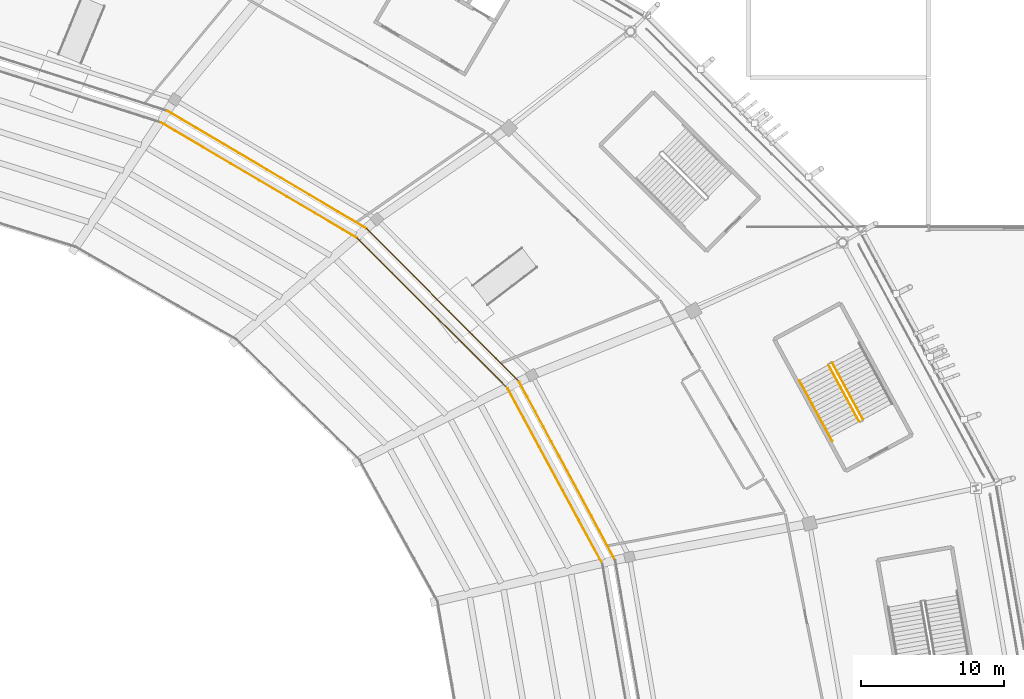
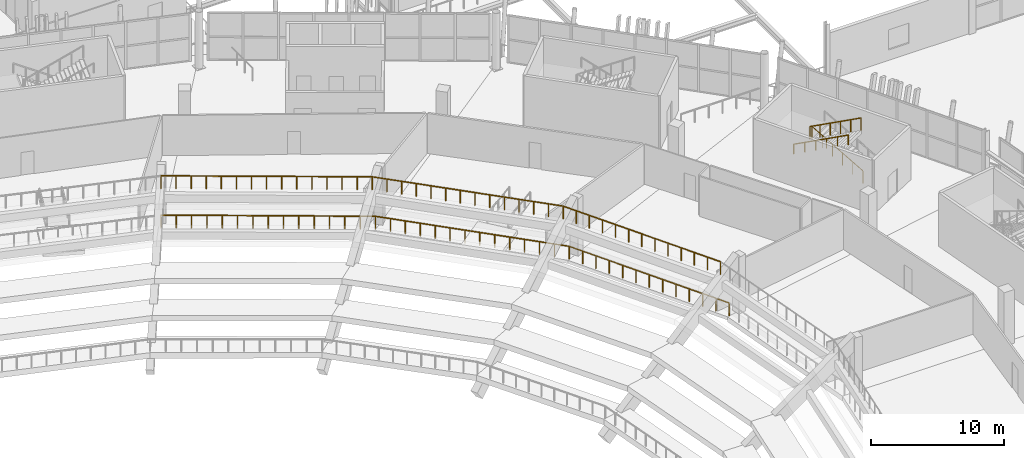
# One storey, part 166 of 178: 9 railings.
"""IFC4 building model written with IfcOpenShell, lengths in metres."""

import ifcopenshell
import ifcopenshell.guid

model = None  # the IFC model being written
_history = None  # IfcOwnerHistory: only IFC2X3 demands one
_inside = {}  # id of a spatial element -> (the spatial element, [elements in it])
_under = {}  # id of a project, library or spatial element -> (it, [spatial elements below it])
_declared = {}  # id of a project -> (the project, [libraries it declares])
_typed = {}  # id of a type object -> (the type object, [elements of that type])
_made_of = {}  # id of a material, layer set ... -> (it, [elements and type objects made of it])


def new_model(schema):
    """Start an empty IFC model of exactly this schema.

    Asked for "IFC4X3", IfcOpenShell would pick the latest addendum, in which some entities
    have other attributes; the version numbers below select the first issue.
    IFC2X3 requires an IfcOwnerHistory on every rooted entity: one is made here for all.
    """
    global model, _history
    if schema == "IFC4X3":
        model = ifcopenshell.file(schema_version=(4, 3, 0, 0))
    else:
        model = ifcopenshell.file(schema=schema)
    _inside.clear()
    _under.clear()
    _declared.clear()
    _typed.clear()
    _made_of.clear()
    _history = None
    if model.schema == "IFC2X3":
        org = make("IfcOrganization", Name="unknown")
        user = make(
            "IfcPersonAndOrganization",
            ThePerson=make("IfcPerson", FamilyName="unknown"),
            TheOrganization=org,
        )
        app = make(
            "IfcApplication",
            ApplicationDeveloper=org,
            Version="unknown",
            ApplicationFullName="unknown",
            ApplicationIdentifier="unknown",
        )
        _history = make(
            "IfcOwnerHistory",
            OwningUser=user,
            OwningApplication=app,
            ChangeAction="ADDED",
            CreationDate=0,
        )
    return model


def make(cls, **values):
    """One entity of the class cls with the attributes given. An attribute that is None is left unset."""
    return model.create_entity(
        cls, **{name: value for name, value in values.items() if value is not None}
    )


def rooted(cls, **values):
    """An entity with a GlobalId (a new one), such as an element, a storey or a relation."""
    return make(cls, GlobalId=ifcopenshell.guid.new(), OwnerHistory=_history, **values)


def si_unit(unit_type, name, prefix=None):
    """IfcSIUnit, for example si_unit("LENGTHUNIT", "METRE", prefix="MILLI")."""
    return make("IfcSIUnit", UnitType=unit_type, Prefix=prefix, Name=name)


def assignment(units):
    """IfcUnitAssignment: the units of a project."""
    return None if units is None else make("IfcUnitAssignment", Units=units)


def point(xyz):
    """IfcCartesianPoint."""
    return None if xyz is None else make("IfcCartesianPoint", Coordinates=xyz)


def direction(xyz):
    """IfcDirection."""
    return None if xyz is None else make("IfcDirection", DirectionRatios=xyz)


def frame(location, z_axis=None, x_axis=None):
    """IfcAxis2Placement3D, a coordinate frame: its origin and axes. An axis left out is left unset."""
    return make(
        "IfcAxis2Placement3D",
        Location=point(location),
        Axis=direction(z_axis),
        RefDirection=direction(x_axis),
    )


def frame_2d(location, x_axis=None):
    """IfcAxis2Placement2D, a coordinate frame in the plane: its origin and x axis."""
    return make(
        "IfcAxis2Placement2D", Location=point(location), RefDirection=direction(x_axis)
    )


def origin():
    """The frame at (0, 0, 0) with its axes left unset."""
    return frame((0.0, 0.0, 0.0))


def origin_2d():
    """The frame at (0, 0) in the plane with its x axis left unset."""
    return frame_2d((0.0, 0.0))


def place(relative_to, where):
    """IfcLocalPlacement: puts the frame where relative to a parent placement (None: the world)."""
    return make(
        "IfcLocalPlacement", PlacementRelTo=relative_to, RelativePlacement=where
    )


def context(
    kind, dimensions, precision=None, world=None, true_north=None, identifier=None
):
    """IfcGeometricRepresentationContext, for example the 3D "Model" context."""
    return make(
        "IfcGeometricRepresentationContext",
        ContextIdentifier=identifier,
        ContextType=kind,
        CoordinateSpaceDimension=dimensions,
        Precision=precision,
        WorldCoordinateSystem=world,
        TrueNorth=true_north,
    )


def subcontext(parent, identifier, kind, view, scale=None):
    """IfcGeometricRepresentationSubContext, for example "Body" below "Model"."""
    return make(
        "IfcGeometricRepresentationSubContext",
        ContextIdentifier=identifier,
        ContextType=kind,
        ParentContext=parent,
        TargetScale=scale,
        TargetView=view,
    )


def project(units=None, contexts=None):
    """IfcProject with its units and contexts."""
    return rooted(
        "IfcProject",
        Name="project",
        RepresentationContexts=contexts,
        UnitsInContext=assignment(units),
    )


def spatial(cls, under=None, at=None, **own):
    """A site, building, storey or space (cls), placed at a placement, below another one or the project."""
    s = rooted(cls, ObjectPlacement=at, **own)
    if under is not None:
        _under.setdefault(under.id(), (under, []))[1].append(s)
    return s


def profile(cls, at=None, kind="AREA", **sizes):
    """A parametric profile (cls). Its sizes go by their IFC names, for example OverallWidth=200.0."""
    return make(cls, ProfileType=kind, Position=at, **sizes)


def rectangle(**sizes):
    """IfcRectangleProfileDef."""
    return profile("IfcRectangleProfileDef", **sizes)


def extrude(swept, where, along, depth):
    """IfcExtrudedAreaSolid: the profile swept, set in the frame where, extruded along a direction by depth."""
    return make(
        "IfcExtrudedAreaSolid",
        SweptArea=swept,
        Position=where,
        ExtrudedDirection=direction(along),
        Depth=depth,
    )


def shape(context_of_items, identifier, shape_type, items):
    """IfcShapeRepresentation: the items that make up one representation, for example the "Body"."""
    return make(
        "IfcShapeRepresentation",
        ContextOfItems=context_of_items,
        RepresentationIdentifier=identifier,
        RepresentationType=shape_type,
        Items=items,
    )


def material(Name=None, Category=None):
    """IfcMaterial."""
    return make("IfcMaterial", Name=Name, Category=Category)


def made_of(thing, what):
    """Note that an element or type object is made of a material, layer set ...; save() writes the relation."""
    if what is not None:
        _made_of.setdefault(what.id(), (what, []))[1].append(thing)
    return thing


def type_object(cls, material=None, **own):
    """A type object (cls), such as IfcWallType, which elements share."""
    return made_of(rooted(cls, **own), material)


def element(
    cls,
    number,
    at=None,
    inside=None,
    cuts=None,
    type_object=None,
    material=None,
    context=None,
    identifier="Body",
    shape_type=None,
    held_by="IfcProductDefinitionShape",
    body=None,
    shapes=None,
    **own,
):
    """One element of the class cls, such as IfcWall. Its Tag is "e" and its number.

    at: its placement. inside: the storey or other place that contains it. cuts: it is an
    opening in that element (IfcRelVoidsElement). A single representation is given by context,
    identifier, shape_type and body (its items); several are given by shapes. held_by: the class
    of the entity that holds the representations. save() writes the other relations.
    """
    e = rooted(cls, Tag="e%d" % number, ObjectPlacement=at, **own)
    if body is not None:
        shapes = [shape(context, identifier, shape_type, body)]
    if shapes is not None:
        e.Representation = make(held_by, Representations=shapes)
    if inside is not None:
        _inside.setdefault(inside.id(), (inside, []))[1].append(e)
    if cuts is not None:
        rooted(
            "IfcRelVoidsElement", RelatingBuildingElement=cuts, RelatedOpeningElement=e
        )
    if type_object is not None:
        _typed.setdefault(type_object.id(), (type_object, []))[1].append(e)
    return made_of(e, material)


def aggregate(whole, parts):
    """IfcRelAggregates: a whole, such as a stair, and the parts it consists of."""
    return rooted("IfcRelAggregates", RelatingObject=whole, RelatedObjects=parts)


def save(model, path):
    """Write the relations noted so far, then the file.

    IfcRelAggregates (storeys below a building ...), IfcRelContainedInSpatialStructure (elements
    in a storey), IfcRelDefinesByType, IfcRelAssociatesMaterial and IfcRelDeclares: one each for
    every whole, place, type object, material and project.
    """
    for whole, parts in _under.values():
        aggregate(whole, parts)
    for where, things in _inside.values():
        rooted(
            "IfcRelContainedInSpatialStructure",
            RelatedElements=things,
            RelatingStructure=where,
        )
    for kind, things in _typed.values():
        rooted("IfcRelDefinesByType", RelatedObjects=things, RelatingType=kind)
    for what, things in _made_of.values():
        rooted("IfcRelAssociatesMaterial", RelatedObjects=things, RelatingMaterial=what)
    for by, libraries in _declared.values():
        rooted("IfcRelDeclares", RelatingContext=by, RelatedDefinitions=libraries)
    model.write(path)


model = new_model("IFC4")

# Units and contexts
model_context = context("Model", 3, precision=1e-05, world=origin(), true_north=direction((0.0, 1.0)))
body_context = subcontext(model_context, "Body", "Model", "MODEL_VIEW")
ifc_project = project(units=[si_unit("LENGTHUNIT", "METRE"), si_unit("AREAUNIT", "SQUARE_METRE"), si_unit("VOLUMEUNIT", "CUBIC_METRE"), si_unit("PLANEANGLEUNIT", "RADIAN"), si_unit("MASSUNIT", "GRAM", prefix="KILO")], contexts=[model_context])

# Site, building, storey
site_placement = place(None, origin())
site = spatial("IfcSite", under=ifc_project, at=site_placement, CompositionType="ELEMENT")
building_placement = place(site_placement, origin())
building = spatial("IfcBuilding", under=site, at=building_placement, Name="Zlatoyarsky Gate Stadium", CompositionType="ELEMENT")
storey_placement = place(building_placement, frame((0.0, 0.0, 5.39990234375)))
storey = spatial("IfcBuildingStorey", under=building, at=storey_placement, Name="L01", CompositionType="ELEMENT", Elevation=5.39990234375)

# Railings
ifc_material_1 = material(Name="Powder-coated steel tubular guardrail", Category="steel")
railing_type_1 = type_object("IfcRailingType", Name="CONCOURSE SLAB EDGE GUARDRAIL 1200", PredefinedType="GUARDRAIL", material=ifc_material_1)
railing_1_placement = place(storey_placement, frame((174.79931640625, 93.109130859375, 4.25)))
element("IfcRailing", 1, at=railing_1_placement, inside=storey, type_object=railing_type_1, Name="Lower bowl back guardrail 01", PredefinedType="GUARDRAIL", context=body_context, shape_type="SweptSolid", body=[
    extrude(rectangle(XDim=0.048095703125, YDim=0.048095703125, at=origin_2d()), frame((0.0, 0.0, 1.17578125), z_axis=(-0.475251836211, 0.879849812285, 0.0), x_axis=(-0.879849812285, -0.475251836211, 0.0)), (0.0, 0.0, 1.0), 13.884033203125),
    extrude(rectangle(XDim=0.0419921875, YDim=0.0419921875, at=origin_2d()), origin(), (0.0, 0.0, 1.0), 1.15185546875),
    extrude(rectangle(XDim=0.0419921875, YDim=0.0419921875, at=origin_2d()), frame((-0.5498046875, 1.01806640625, 0.0)), (0.0, 0.0, 1.0), 1.15185546875),
    extrude(rectangle(XDim=0.0419921875, YDim=0.0419921875, at=origin_2d()), frame((-1.099609375, 2.035888671875, 0.0)), (0.0, 0.0, 1.0), 1.15185546875),
    extrude(rectangle(XDim=0.0419921875, YDim=0.0419921875, at=origin_2d()), frame((-1.649658203125, 3.053955078125, 0.0)), (0.0, 0.0, 1.0), 1.15185546875),
    extrude(rectangle(XDim=0.0419921875, YDim=0.0419921875, at=origin_2d()), frame((-2.199462890625, 4.072021484375, 0.0)), (0.0, 0.0, 1.0), 1.15185546875),
    extrude(rectangle(XDim=0.0419921875, YDim=0.0419921875, at=origin_2d()), frame((-2.749267578125, 5.08984375, 0.0)), (0.0, 0.0, 1.0), 1.15185546875),
    extrude(rectangle(XDim=0.0419921875, YDim=0.0419921875, at=origin_2d()), frame((-3.29931640625, 6.10791015625, 0.0)), (0.0, 0.0, 1.0), 1.15185546875),
    extrude(rectangle(XDim=0.0419921875, YDim=0.0419921875, at=origin_2d()), frame((-3.84912109375, 7.1259765625, 0.0)), (0.0, 0.0, 1.0), 1.15185546875),
    extrude(rectangle(XDim=0.0419921875, YDim=0.0419921875, at=origin_2d()), frame((-4.39892578125, 8.143798828125, 0.0)), (0.0, 0.0, 1.0), 1.15185546875),
    extrude(rectangle(XDim=0.0419921875, YDim=0.0419921875, at=origin_2d()), frame((-4.94873046875, 9.161865234375, 0.0)), (0.0, 0.0, 1.0), 1.15185546875),
    extrude(rectangle(XDim=0.0419921875, YDim=0.0419921875, at=origin_2d()), frame((-5.49853515625, 10.179931640625, 0.0)), (0.0, 0.0, 1.0), 1.15185546875),
    extrude(rectangle(XDim=0.0419921875, YDim=0.0419921875, at=origin_2d()), frame((-6.048583984375, 11.19775390625, 0.0)), (0.0, 0.0, 1.0), 1.15185546875),
    extrude(rectangle(XDim=0.0419921875, YDim=0.0419921875, at=origin_2d()), frame((-6.598388671875, 12.2158203125, 0.0)), (0.0, 0.0, 1.0), 1.15185546875),
])
railing_2_placement = place(storey_placement, frame((175.69775390625, 93.349853515625, 0.0)))
element("IfcRailing", 2, at=railing_2_placement, inside=storey, type_object=railing_type_1, Name="L01 inner bowl edge guardrail 01", PredefinedType="GUARDRAIL", context=body_context, shape_type="SweptSolid", body=[
    extrude(rectangle(XDim=0.048095703125, YDim=0.048095703125, at=origin_2d()), frame((0.0, 0.0, 1.17578125), z_axis=(-0.473707090827, 0.880682458154, 0.0), x_axis=(-0.880682458154, -0.473707090827, 0.0)), (0.0, 0.0, 1.0), 14.125732421875),
    extrude(rectangle(XDim=0.0419921875, YDim=0.0419921875, at=origin_2d()), origin(), (0.0, 0.0, 1.0), 1.15185546875),
    extrude(rectangle(XDim=0.0419921875, YDim=0.0419921875, at=origin_2d()), frame((-0.5576171875, 1.03662109375, 0.0)), (0.0, 0.0, 1.0), 1.15185546875),
    extrude(rectangle(XDim=0.0419921875, YDim=0.0419921875, at=origin_2d()), frame((-1.115234375, 2.0732421875, 0.0)), (0.0, 0.0, 1.0), 1.15185546875),
    extrude(rectangle(XDim=0.0419921875, YDim=0.0419921875, at=origin_2d()), frame((-1.6728515625, 3.110107421875, 0.0)), (0.0, 0.0, 1.0), 1.15185546875),
    extrude(rectangle(XDim=0.0419921875, YDim=0.0419921875, at=origin_2d()), frame((-2.23046875, 4.146728515625, 0.0)), (0.0, 0.0, 1.0), 1.15185546875),
    extrude(rectangle(XDim=0.0419921875, YDim=0.0419921875, at=origin_2d()), frame((-2.7880859375, 5.183349609375, 0.0)), (0.0, 0.0, 1.0), 1.15185546875),
    extrude(rectangle(XDim=0.0419921875, YDim=0.0419921875, at=origin_2d()), frame((-3.345703125, 6.22021484375, 0.0)), (0.0, 0.0, 1.0), 1.15185546875),
    extrude(rectangle(XDim=0.0419921875, YDim=0.0419921875, at=origin_2d()), frame((-3.9033203125, 7.2568359375, 0.0)), (0.0, 0.0, 1.0), 1.15185546875),
    extrude(rectangle(XDim=0.0419921875, YDim=0.0419921875, at=origin_2d()), frame((-4.4609375, 8.29345703125, 0.0)), (0.0, 0.0, 1.0), 1.15185546875),
    extrude(rectangle(XDim=0.0419921875, YDim=0.0419921875, at=origin_2d()), frame((-5.0185546875, 9.330078125, 0.0)), (0.0, 0.0, 1.0), 1.15185546875),
    extrude(rectangle(XDim=0.0419921875, YDim=0.0419921875, at=origin_2d()), frame((-5.576171875, 10.36669921875, 0.0)), (0.0, 0.0, 1.0), 1.15185546875),
    extrude(rectangle(XDim=0.0419921875, YDim=0.0419921875, at=origin_2d()), frame((-6.1337890625, 11.403564453125, 0.0)), (0.0, 0.0, 1.0), 1.15185546875),
    extrude(rectangle(XDim=0.0419921875, YDim=0.0419921875, at=origin_2d()), frame((-6.69140625, 12.440185546875, 0.0)), (0.0, 0.0, 1.0), 1.15185546875),
])
railing_3_placement = place(storey_placement, frame((168.200927734375, 105.324951171875, 4.25)))
element("IfcRailing", 3, at=railing_3_placement, inside=storey, type_object=railing_type_1, Name="Lower bowl back guardrail 02", PredefinedType="GUARDRAIL", context=body_context, shape_type="SweptSolid", body=[
    extrude(rectangle(XDim=0.048095703125, YDim=0.048095703125, at=origin_2d()), frame((0.0, 0.0, 1.17578125), z_axis=(-0.707328845655, 0.706884646957, 0.0), x_axis=(-0.706884646957, -0.707328845655, 0.0)), (0.0, 0.0, 1.0), 14.83984375),
    extrude(rectangle(XDim=0.0419921875, YDim=0.0419921875, at=origin_2d()), origin(), (0.0, 0.0, 1.0), 1.15185546875),
    extrude(rectangle(XDim=0.0419921875, YDim=0.0419921875, at=origin_2d()), frame((-0.807373046875, 0.806884765625, 0.0)), (0.0, 0.0, 1.0), 1.15185546875),
    extrude(rectangle(XDim=0.0419921875, YDim=0.0419921875, at=origin_2d()), frame((-1.61474609375, 1.61376953125, 0.0)), (0.0, 0.0, 1.0), 1.15185546875),
    extrude(rectangle(XDim=0.0419921875, YDim=0.0419921875, at=origin_2d()), frame((-2.42236328125, 2.420654296875, 0.0)), (0.0, 0.0, 1.0), 1.15185546875),
    extrude(rectangle(XDim=0.0419921875, YDim=0.0419921875, at=origin_2d()), frame((-3.229736328125, 3.227783203125, 0.0)), (0.0, 0.0, 1.0), 1.15185546875),
    extrude(rectangle(XDim=0.0419921875, YDim=0.0419921875, at=origin_2d()), frame((-4.037109375, 4.03466796875, 0.0)), (0.0, 0.0, 1.0), 1.15185546875),
    extrude(rectangle(XDim=0.0419921875, YDim=0.0419921875, at=origin_2d()), frame((-4.844482421875, 4.841552734375, 0.0)), (0.0, 0.0, 1.0), 1.15185546875),
    extrude(rectangle(XDim=0.0419921875, YDim=0.0419921875, at=origin_2d()), frame((-5.652099609375, 5.6484375, 0.0)), (0.0, 0.0, 1.0), 1.15185546875),
    extrude(rectangle(XDim=0.0419921875, YDim=0.0419921875, at=origin_2d()), frame((-6.45947265625, 6.455322265625, 0.0)), (0.0, 0.0, 1.0), 1.15185546875),
    extrude(rectangle(XDim=0.0419921875, YDim=0.0419921875, at=origin_2d()), frame((-7.266845703125, 7.26220703125, 0.0)), (0.0, 0.0, 1.0), 1.15185546875),
    extrude(rectangle(XDim=0.0419921875, YDim=0.0419921875, at=origin_2d()), frame((-8.07421875, 8.0693359375, 0.0)), (0.0, 0.0, 1.0), 1.15185546875),
    extrude(rectangle(XDim=0.0419921875, YDim=0.0419921875, at=origin_2d()), frame((-8.8818359375, 8.876220703125, 0.0)), (0.0, 0.0, 1.0), 1.15185546875),
    extrude(rectangle(XDim=0.0419921875, YDim=0.0419921875, at=origin_2d()), frame((-9.689208984375, 9.68310546875, 0.0)), (0.0, 0.0, 1.0), 1.15185546875),
    extrude(rectangle(XDim=0.0419921875, YDim=0.0419921875, at=origin_2d()), frame((-10.49658203125, 10.489990234375, 0.0)), (0.0, 0.0, 1.0), 1.15185546875),
])
railing_4_placement = place(storey_placement, frame((169.00634765625, 105.7900390625, 0.0)))
element("IfcRailing", 4, at=railing_4_placement, inside=storey, type_object=railing_type_1, Name="L01 inner bowl edge guardrail 02", PredefinedType="GUARDRAIL", context=body_context, shape_type="SweptSolid", body=[
    extrude(rectangle(XDim=0.048095703125, YDim=0.048095703125, at=origin_2d()), frame((0.0, 0.0, 1.17578125), z_axis=(-0.70583478362, 0.708376494692, 0.0), x_axis=(-0.708376494692, -0.70583478362, 0.0)), (0.0, 0.0, 1.0), 15.080322265625),
    extrude(rectangle(XDim=0.0419921875, YDim=0.0419921875, at=origin_2d()), origin(), (0.0, 0.0, 1.0), 1.15185546875),
    extrude(rectangle(XDim=0.0419921875, YDim=0.0419921875, at=origin_2d()), frame((-0.81884765625, 0.82177734375, 0.0)), (0.0, 0.0, 1.0), 1.15185546875),
    extrude(rectangle(XDim=0.0419921875, YDim=0.0419921875, at=origin_2d()), frame((-1.6376953125, 1.6435546875, 0.0)), (0.0, 0.0, 1.0), 1.15185546875),
    extrude(rectangle(XDim=0.0419921875, YDim=0.0419921875, at=origin_2d()), frame((-2.456298828125, 2.46533203125, 0.0)), (0.0, 0.0, 1.0), 1.15185546875),
    extrude(rectangle(XDim=0.0419921875, YDim=0.0419921875, at=origin_2d()), frame((-3.275146484375, 3.286865234375, 0.0)), (0.0, 0.0, 1.0), 1.15185546875),
    extrude(rectangle(XDim=0.0419921875, YDim=0.0419921875, at=origin_2d()), frame((-4.093994140625, 4.108642578125, 0.0)), (0.0, 0.0, 1.0), 1.15185546875),
    extrude(rectangle(XDim=0.0419921875, YDim=0.0419921875, at=origin_2d()), frame((-4.912841796875, 4.930419921875, 0.0)), (0.0, 0.0, 1.0), 1.15185546875),
    extrude(rectangle(XDim=0.0419921875, YDim=0.0419921875, at=origin_2d()), frame((-5.7314453125, 5.752197265625, 0.0)), (0.0, 0.0, 1.0), 1.15185546875),
    extrude(rectangle(XDim=0.0419921875, YDim=0.0419921875, at=origin_2d()), frame((-6.55029296875, 6.573974609375, 0.0)), (0.0, 0.0, 1.0), 1.15185546875),
    extrude(rectangle(XDim=0.0419921875, YDim=0.0419921875, at=origin_2d()), frame((-7.369140625, 7.395751953125, 0.0)), (0.0, 0.0, 1.0), 1.15185546875),
    extrude(rectangle(XDim=0.0419921875, YDim=0.0419921875, at=origin_2d()), frame((-8.18798828125, 8.21728515625, 0.0)), (0.0, 0.0, 1.0), 1.15185546875),
    extrude(rectangle(XDim=0.0419921875, YDim=0.0419921875, at=origin_2d()), frame((-9.006591796875, 9.0390625, 0.0)), (0.0, 0.0, 1.0), 1.15185546875),
    extrude(rectangle(XDim=0.0419921875, YDim=0.0419921875, at=origin_2d()), frame((-9.825439453125, 9.86083984375, 0.0)), (0.0, 0.0, 1.0), 1.15185546875),
    extrude(rectangle(XDim=0.0419921875, YDim=0.0419921875, at=origin_2d()), frame((-10.644287109375, 10.6826171875, 0.0)), (0.0, 0.0, 1.0), 1.15185546875),
])
railing_5_placement = place(storey_placement, frame((157.704345703125, 115.81494140625, 4.25)))
element("IfcRailing", 5, at=railing_5_placement, inside=storey, type_object=railing_type_1, Name="Lower bowl back guardrail 03", PredefinedType="GUARDRAIL", context=body_context, shape_type="SweptSolid", body=[
    extrude(rectangle(XDim=0.048095703125, YDim=0.048095703125, at=origin_2d()), frame((0.0, 0.0, 1.17578125), z_axis=(-0.861863030795, 0.507141120546, 0.0), x_axis=(-0.507141120546, -0.861863030795, 0.0)), (0.0, 0.0, 1.0), 15.871826171875),
    extrude(rectangle(XDim=0.0419921875, YDim=0.0419921875, at=origin_2d()), origin(), (0.0, 0.0, 1.0), 1.15185546875),
    extrude(rectangle(XDim=0.0419921875, YDim=0.0419921875, at=origin_2d()), frame((-0.97705078125, 0.574951171875, 0.0)), (0.0, 0.0, 1.0), 1.15185546875),
    extrude(rectangle(XDim=0.0419921875, YDim=0.0419921875, at=origin_2d()), frame((-1.9541015625, 1.14990234375, 0.0)), (0.0, 0.0, 1.0), 1.15185546875),
    extrude(rectangle(XDim=0.0419921875, YDim=0.0419921875, at=origin_2d()), frame((-2.931396484375, 1.724853515625, 0.0)), (0.0, 0.0, 1.0), 1.15185546875),
    extrude(rectangle(XDim=0.0419921875, YDim=0.0419921875, at=origin_2d()), frame((-3.908447265625, 2.2998046875, 0.0)), (0.0, 0.0, 1.0), 1.15185546875),
    extrude(rectangle(XDim=0.0419921875, YDim=0.0419921875, at=origin_2d()), frame((-4.885498046875, 2.874755859375, 0.0)), (0.0, 0.0, 1.0), 1.15185546875),
    extrude(rectangle(XDim=0.0419921875, YDim=0.0419921875, at=origin_2d()), frame((-5.862548828125, 3.44970703125, 0.0)), (0.0, 0.0, 1.0), 1.15185546875),
    extrude(rectangle(XDim=0.0419921875, YDim=0.0419921875, at=origin_2d()), frame((-6.83984375, 4.024658203125, 0.0)), (0.0, 0.0, 1.0), 1.15185546875),
    extrude(rectangle(XDim=0.0419921875, YDim=0.0419921875, at=origin_2d()), frame((-7.81689453125, 4.599609375, 0.0)), (0.0, 0.0, 1.0), 1.15185546875),
    extrude(rectangle(XDim=0.0419921875, YDim=0.0419921875, at=origin_2d()), frame((-8.7939453125, 5.174560546875, 0.0)), (0.0, 0.0, 1.0), 1.15185546875),
    extrude(rectangle(XDim=0.0419921875, YDim=0.0419921875, at=origin_2d()), frame((-9.77099609375, 5.74951171875, 0.0)), (0.0, 0.0, 1.0), 1.15185546875),
    extrude(rectangle(XDim=0.0419921875, YDim=0.0419921875, at=origin_2d()), frame((-10.748046875, 6.324462890625, 0.0)), (0.0, 0.0, 1.0), 1.15185546875),
    extrude(rectangle(XDim=0.0419921875, YDim=0.0419921875, at=origin_2d()), frame((-11.725341796875, 6.8994140625, 0.0)), (0.0, 0.0, 1.0), 1.15185546875),
    extrude(rectangle(XDim=0.0419921875, YDim=0.0419921875, at=origin_2d()), frame((-12.702392578125, 7.474365234375, 0.0)), (0.0, 0.0, 1.0), 1.15185546875),
    extrude(rectangle(XDim=0.0419921875, YDim=0.0419921875, at=origin_2d()), frame((-13.679443359375, 8.04931640625, 0.0)), (0.0, 0.0, 1.0), 1.15185546875),
])
railing_6_placement = place(storey_placement, frame((158.362060546875, 116.47265625, 0.0)))
element("IfcRailing", 6, at=railing_6_placement, inside=storey, type_object=railing_type_1, Name="L01 inner bowl edge guardrail 03", PredefinedType="GUARDRAIL", context=body_context, shape_type="SweptSolid", body=[
    extrude(rectangle(XDim=0.048095703125, YDim=0.048095703125, at=origin_2d()), frame((0.0, 0.0, 1.17578125), z_axis=(-0.860929544652, 0.508724207351, 0.0), x_axis=(-0.508724207351, -0.860929544652, 0.0)), (0.0, 0.0, 1.0), 16.11279296875),
    extrude(rectangle(XDim=0.0419921875, YDim=0.0419921875, at=origin_2d()), origin(), (0.0, 0.0, 1.0), 1.15185546875),
    extrude(rectangle(XDim=0.0419921875, YDim=0.0419921875, at=origin_2d()), frame((-0.990966796875, 0.58544921875, 0.0)), (0.0, 0.0, 1.0), 1.15185546875),
    extrude(rectangle(XDim=0.0419921875, YDim=0.0419921875, at=origin_2d()), frame((-1.981689453125, 1.1708984375, 0.0)), (0.0, 0.0, 1.0), 1.15185546875),
    extrude(rectangle(XDim=0.0419921875, YDim=0.0419921875, at=origin_2d()), frame((-2.97265625, 1.756591796875, 0.0)), (0.0, 0.0, 1.0), 1.15185546875),
    extrude(rectangle(XDim=0.0419921875, YDim=0.0419921875, at=origin_2d()), frame((-3.96337890625, 2.342041015625, 0.0)), (0.0, 0.0, 1.0), 1.15185546875),
    extrude(rectangle(XDim=0.0419921875, YDim=0.0419921875, at=origin_2d()), frame((-4.954345703125, 2.927490234375, 0.0)), (0.0, 0.0, 1.0), 1.15185546875),
    extrude(rectangle(XDim=0.0419921875, YDim=0.0419921875, at=origin_2d()), frame((-5.945068359375, 3.512939453125, 0.0)), (0.0, 0.0, 1.0), 1.15185546875),
    extrude(rectangle(XDim=0.0419921875, YDim=0.0419921875, at=origin_2d()), frame((-6.93603515625, 4.0986328125, 0.0)), (0.0, 0.0, 1.0), 1.15185546875),
    extrude(rectangle(XDim=0.0419921875, YDim=0.0419921875, at=origin_2d()), frame((-7.927001953125, 4.68408203125, 0.0)), (0.0, 0.0, 1.0), 1.15185546875),
    extrude(rectangle(XDim=0.0419921875, YDim=0.0419921875, at=origin_2d()), frame((-8.917724609375, 5.26953125, 0.0)), (0.0, 0.0, 1.0), 1.15185546875),
    extrude(rectangle(XDim=0.0419921875, YDim=0.0419921875, at=origin_2d()), frame((-9.90869140625, 5.85498046875, 0.0)), (0.0, 0.0, 1.0), 1.15185546875),
    extrude(rectangle(XDim=0.0419921875, YDim=0.0419921875, at=origin_2d()), frame((-10.8994140625, 6.4404296875, 0.0)), (0.0, 0.0, 1.0), 1.15185546875),
    extrude(rectangle(XDim=0.0419921875, YDim=0.0419921875, at=origin_2d()), frame((-11.890380859375, 7.026123046875, 0.0)), (0.0, 0.0, 1.0), 1.15185546875),
    extrude(rectangle(XDim=0.0419921875, YDim=0.0419921875, at=origin_2d()), frame((-12.881103515625, 7.611572265625, 0.0)), (0.0, 0.0, 1.0), 1.15185546875),
    extrude(rectangle(XDim=0.0419921875, YDim=0.0419921875, at=origin_2d()), frame((-13.8720703125, 8.197021484375, 0.0)), (0.0, 0.0, 1.0), 1.15185546875),
])
ifc_material_2 = material(Name="Powder-coated steel stair guardrail", Category="steel")
railing_type_2 = type_object("IfcRailingType", Name="PAINTED STEEL STAIR WELL GUARDRAIL 1150", PredefinedType="GUARDRAIL", material=ifc_material_2)
railing_7_placement = place(storey_placement, frame((192.96484375, 103.16650390625, 0.16259765625)))
element("IfcRailing", 7, at=railing_7_placement, inside=storey, type_object=railing_type_2, Name="ST-13 L01 stair guard 1", PredefinedType="GUARDRAIL", context=body_context, shape_type="SweptSolid", body=[
    extrude(rectangle(XDim=0.048095703125, YDim=0.048095703125, at=origin_2d()), frame((0.0, 0.0, 1.1259765625), z_axis=(-0.419324818617, 0.772864776611, 0.476284299098), x_axis=(-0.878963249763, -0.476889510858, 0.0)), (0.0, 0.0, 1.0), 5.11767578125),
    extrude(rectangle(XDim=0.0419921875, YDim=0.0419921875, at=origin_2d()), origin(), (0.0, 0.0, 1.0), 1.101806640625),
    extrude(rectangle(XDim=0.0419921875, YDim=0.0419921875, at=origin_2d()), frame((-0.42919921875, 0.791015625, 0.487548828125)), (0.0, 0.0, 1.0), 1.101806640625),
    extrude(rectangle(XDim=0.0419921875, YDim=0.0419921875, at=origin_2d()), frame((-0.8583984375, 1.58203125, 0.97509765625)), (0.0, 0.0, 1.0), 1.101806640625),
    extrude(rectangle(XDim=0.0419921875, YDim=0.0419921875, at=origin_2d()), frame((-1.28759765625, 2.373291015625, 1.46240234375)), (0.0, 0.0, 1.0), 1.101806640625),
    extrude(rectangle(XDim=0.0419921875, YDim=0.0419921875, at=origin_2d()), frame((-1.716796875, 3.164306640625, 1.949951171875)), (0.0, 0.0, 1.0), 1.101806640625),
    extrude(rectangle(XDim=0.0419921875, YDim=0.0419921875, at=origin_2d()), frame((-2.14599609375, 3.955322265625, 2.4375)), (0.0, 0.0, 1.0), 1.101806640625),
])
railing_8_placement = place(storey_placement, frame((190.55517578125, 106.978759765625, 2.7626953125)))
element("IfcRailing", 8, at=railing_8_placement, inside=storey, type_object=railing_type_2, Name="ST-13 L01 stair guard 3", PredefinedType="GUARDRAIL", context=body_context, shape_type="SweptSolid", body=[
    extrude(rectangle(XDim=0.048095703125, YDim=0.048095703125, at=origin_2d()), frame((0.0, 0.0, 1.1259765625), z_axis=(0.419324818617, -0.772864776611, 0.476284299098), x_axis=(0.878963249763, 0.476889510858, 0.0)), (0.0, 0.0, 1.0), 5.11767578125),
    extrude(rectangle(XDim=0.0419921875, YDim=0.0419921875, at=origin_2d()), origin(), (0.0, 0.0, 1.0), 1.101806640625),
    extrude(rectangle(XDim=0.0419921875, YDim=0.0419921875, at=origin_2d()), frame((0.42919921875, -0.791015625, 0.487548828125)), (0.0, 0.0, 1.0), 1.101806640625),
    extrude(rectangle(XDim=0.0419921875, YDim=0.0419921875, at=origin_2d()), frame((0.8583984375, -1.58203125, 0.97509765625)), (0.0, 0.0, 1.0), 1.101806640625),
    extrude(rectangle(XDim=0.0419921875, YDim=0.0419921875, at=origin_2d()), frame((1.28759765625, -2.373291015625, 1.46240234375)), (0.0, 0.0, 1.0), 1.101806640625),
    extrude(rectangle(XDim=0.0419921875, YDim=0.0419921875, at=origin_2d()), frame((1.716796875, -3.164306640625, 1.949951171875)), (0.0, 0.0, 1.0), 1.101806640625),
    extrude(rectangle(XDim=0.0419921875, YDim=0.0419921875, at=origin_2d()), frame((2.14599609375, -3.955322265625, 2.4375)), (0.0, 0.0, 1.0), 1.101806640625),
])
ifc_material_3 = material(Name="Brushed stainless steel 316 handrail", Category="steel")
railing_type_3 = type_object("IfcRailingType", Name="STAINLESS STEEL TUBULAR HANDRAIL 900", PredefinedType="HANDRAIL", material=ifc_material_3)
railing_9_placement = place(storey_placement, frame((188.533447265625, 105.882080078125, 2.7666015625)))
element("IfcRailing", 9, at=railing_9_placement, inside=storey, type_object=railing_type_3, Name="ST-13 L01 stair handrail 2", PredefinedType="HANDRAIL", context=body_context, shape_type="SweptSolid", body=[
    extrude(rectangle(XDim=0.048095703125, YDim=0.048095703125, at=origin_2d()), frame((0.0, 0.0, 0.8759765625), z_axis=(0.419307718725, -0.772874999468, 0.476282764977), x_axis=(0.878974045326, 0.476869612833, 0.0)), (0.0, 0.0, 1.0), 5.459228515625),
    extrude(rectangle(XDim=0.0419921875, YDim=0.0419921875, at=origin_2d()), origin(), (0.0, 0.0, 1.0), 0.851806640625),
    extrude(rectangle(XDim=0.0419921875, YDim=0.0419921875, at=origin_2d()), frame((0.457763671875, -0.84375, 0.52001953125)), (0.0, 0.0, 1.0), 0.851806640625),
    extrude(rectangle(XDim=0.0419921875, YDim=0.0419921875, at=origin_2d()), frame((0.91552734375, -1.687744140625, 1.0400390625)), (0.0, 0.0, 1.0), 0.851806640625),
    extrude(rectangle(XDim=0.0419921875, YDim=0.0419921875, at=origin_2d()), frame((1.37353515625, -2.531494140625, 1.56005859375)), (0.0, 0.0, 1.0), 0.851806640625),
    extrude(rectangle(XDim=0.0419921875, YDim=0.0419921875, at=origin_2d()), frame((1.831298828125, -3.37548828125, 2.080078125)), (0.0, 0.0, 1.0), 0.851806640625),
    extrude(rectangle(XDim=0.0419921875, YDim=0.0419921875, at=origin_2d()), frame((2.2890625, -4.21923828125, 2.60009765625)), (0.0, 0.0, 1.0), 0.851806640625),
])

save(model, "model.ifc")
